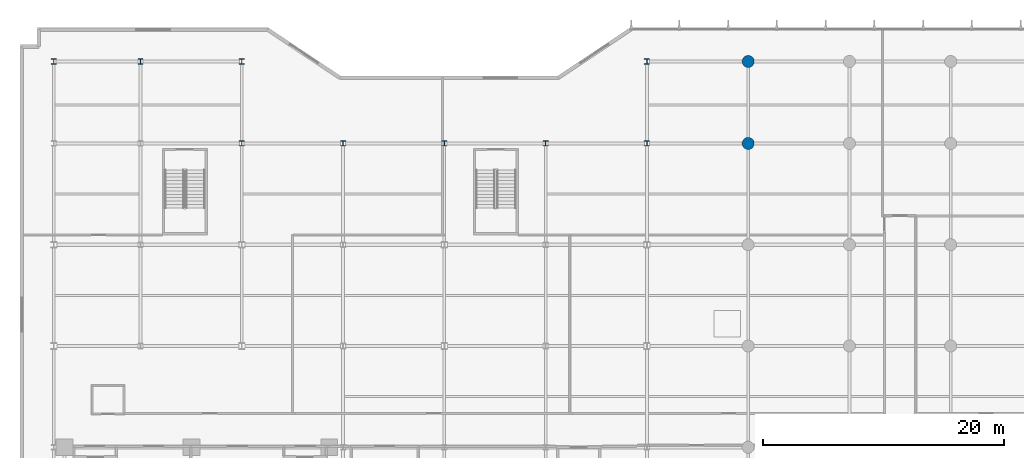
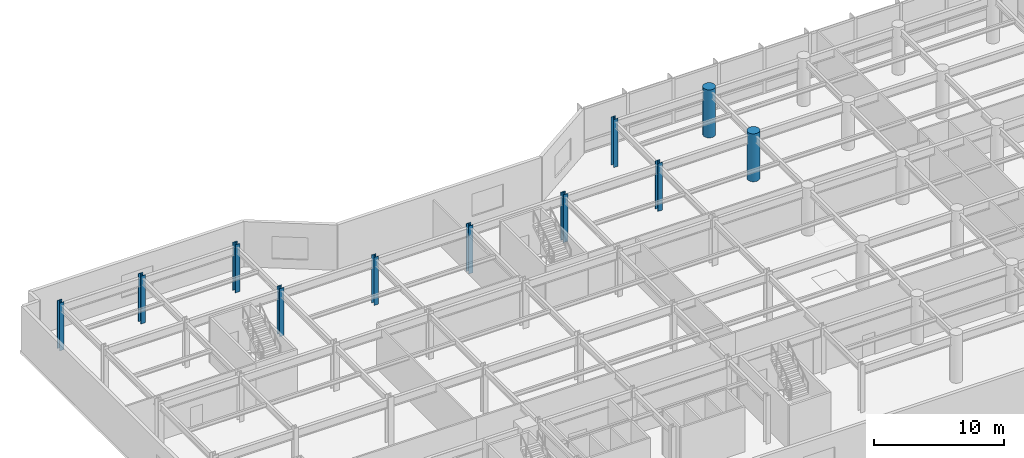
# One storey, part 2 of 26: 11 columns.
"""IFC4 building model written with IfcOpenShell, lengths in metres."""

from ifc_helpers import new_model, si_unit, direction, frame, origin, origin_2d, place, context, subcontext, project, spatial, circle, i_section, extrude, material, material_profile, profile_set, type_object, element, save


model = new_model("IFC4")

# Units and contexts
model_context = context("Model", 3, precision=1e-05, world=origin(), true_north=direction((0.0, 1.0)))
body_context = subcontext(model_context, "Body", "Model", "MODEL_VIEW")
ifc_project = project(units=[si_unit("LENGTHUNIT", "METRE"), si_unit("AREAUNIT", "SQUARE_METRE"), si_unit("VOLUMEUNIT", "CUBIC_METRE"), si_unit("PLANEANGLEUNIT", "RADIAN"), si_unit("MASSUNIT", "GRAM", prefix="KILO")], contexts=[model_context])

# Site, building, storey
site_placement = place(None, origin())
site = spatial("IfcSite", under=ifc_project, at=site_placement, CompositionType="ELEMENT")
building_placement = place(site_placement, origin())
building = spatial("IfcBuilding", under=site, at=building_placement, Name="Varnakote Quay Hospital", CompositionType="ELEMENT")
storey_placement = place(building_placement, frame((0.0, 0.0, 9.0)))
storey = spatial("IfcBuildingStorey", under=building, at=storey_placement, Name="L02", CompositionType="ELEMENT", Elevation=9.0)

# Columns
ifc_material_1 = material(Name="Concrete N65 (f'c 65 MPa)", Category="concrete")
ifc_material_profile_1 = material_profile(ifc_material_1, circle(Radius=0.5, at=origin_2d()), Name="RC-COL-D1000")
ifc_profile_set_1 = profile_set([ifc_material_profile_1], Name="Concrete N65 (f'c 65 MPa)")
column_type_1 = type_object("IfcColumnType", Name="COL-RC-D1000", PredefinedType="COLUMN", material=ifc_profile_set_1)
for number, where, z_axis, x_axis, name in (
    (1, (58.800048828125, 37.199951171875, 0.0), (0.0, 0.0, 1.0), (1.0, 0.0, 0.0), "L02 Structural Column C-59-37"),
    (2, (58.800048828125, 44.0, 0.0), (0.0, 0.0, 1.0), (1.0, 0.0, 0.0), "L02 Structural Column C-59-44"),
):
    element("IfcColumn", number, at=place(storey_placement, frame(where, z_axis=z_axis, x_axis=x_axis)), inside=storey, type_object=column_type_1, Name=name, PredefinedType="COLUMN", context=body_context, shape_type="SweptSolid", body=[
        extrude(circle(Radius=0.5, at=origin_2d()), origin(), (0.0, 0.0, 1.0), 4.5),
    ])
ifc_material_2 = material(Name="Structural steel AS/NZS 3678 Grade 350 (fy 340 MPa)", Category="steel")
ifc_material_profile_2 = material_profile(ifc_material_2, i_section(OverallWidth=0.39990234375, OverallDepth=0.419921875, WebThickness=0.02490234375, FlangeThickness=0.0400390625, at=origin_2d()), Name="400WC328")
ifc_profile_set_2 = profile_set([ifc_material_profile_2], Name="Structural steel AS/NZS 3678 Grade 350 (fy 340 MPa)")
column_type_2 = type_object("IfcColumnType", Name="COL-STL-400WC328", PredefinedType="COLUMN", material=ifc_profile_set_2)
for number, where, z_axis, x_axis, name in (
    (3, (16.800048828125, 37.199951171875, 0.0), (0.0, 0.0, 1.0), (1.0, 0.0, 0.0), "L02 Structural Column C-17-37"),
    (4, (25.199951171875, 37.199951171875, 0.0), (0.0, 0.0, 1.0), (1.0, 0.0, 0.0), "L02 Structural Column C-25-37"),
    (5, (33.60009765625, 37.199951171875, 0.0), (0.0, 0.0, 1.0), (1.0, 0.0, 0.0), "L02 Structural Column C-34-37"),
    (6, (42.0, 37.199951171875, 0.0), (0.0, 0.0, 1.0), (1.0, 0.0, 0.0), "L02 Structural Column C-42-37"),
    (7, (50.39990234375, 37.199951171875, 0.0), (0.0, 0.0, 1.0), (1.0, 0.0, 0.0), "L02 Structural Column C-50-37"),
    (8, (1.199951171875, 44.0, 0.0), (0.0, 0.0, 1.0), (1.0, 0.0, 0.0), "L02 Structural Column C-1-44"),
    (9, (8.39990234375, 44.0, 0.0), (0.0, 0.0, 1.0), (1.0, 0.0, 0.0), "L02 Structural Column C-8-44"),
    (10, (16.800048828125, 44.0, 0.0), (0.0, 0.0, 1.0), (1.0, 0.0, 0.0), "L02 Structural Column C-17-44"),
    (11, (50.39990234375, 44.0, 0.0), (0.0, 0.0, 1.0), (1.0, 0.0, 0.0), "L02 Structural Column C-50-44"),
):
    element("IfcColumn", number, at=place(storey_placement, frame(where, z_axis=z_axis, x_axis=x_axis)), inside=storey, type_object=column_type_2, Name=name, PredefinedType="COLUMN", context=body_context, shape_type="SweptSolid", body=[
        extrude(i_section(OverallWidth=0.39990234375, OverallDepth=0.419921875, WebThickness=0.02490234375, FlangeThickness=0.0400390625, at=origin_2d()), origin(), (0.0, 0.0, 1.0), 4.5),
    ])

save(model, "model.ifc")
